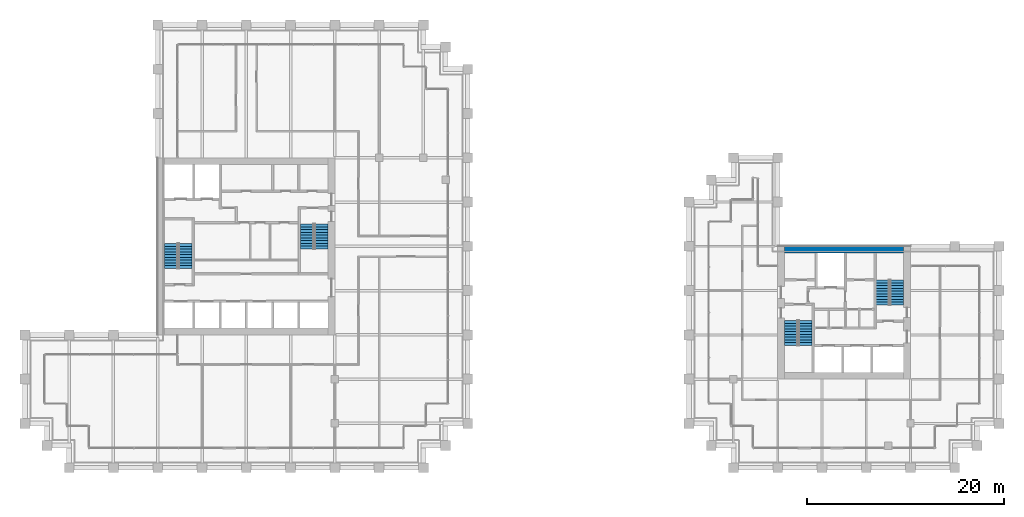
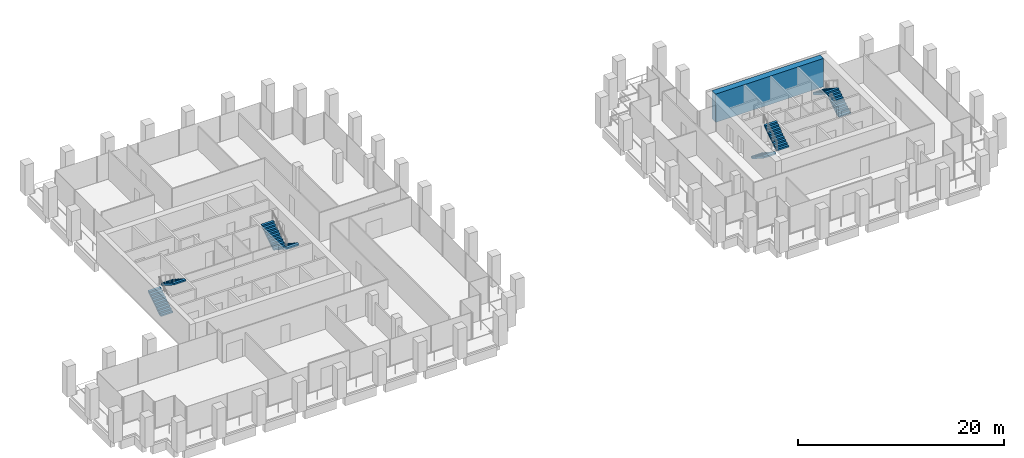
# One storey, part 44 of 46: 8 stair flights, 1 wall, 4 elements without a shape of their own.
"""IFC4 building model written with IfcOpenShell, lengths in metres."""

from ifc_helpers import new_model, si_unit, direction, frame, frame_2d, origin, place, context, subcontext, project, spatial, polyline, rectangle, outline, extrude, material, layer, layer_set, type_object, element, aggregate, save


model = new_model("IFC4")

# Units and contexts
model_context = context("Model", 3, precision=1e-05, world=origin(), true_north=direction((0.0, 1.0)))
body_context = subcontext(model_context, "Body", "Model", "MODEL_VIEW")
ifc_project = project(units=[si_unit("LENGTHUNIT", "METRE"), si_unit("AREAUNIT", "SQUARE_METRE"), si_unit("VOLUMEUNIT", "CUBIC_METRE"), si_unit("PLANEANGLEUNIT", "RADIAN"), si_unit("MASSUNIT", "GRAM", prefix="KILO")], contexts=[model_context])

# Site, building, storey
site_placement = place(None, origin())
site = spatial("IfcSite", under=ifc_project, at=site_placement, CompositionType="ELEMENT")
building_placement = place(site_placement, origin())
building = spatial("IfcBuilding", under=site, at=building_placement, Name="Altepetl Exchange Towers", CompositionType="ELEMENT")
storey_placement = place(building_placement, frame((0.0, 0.0, 102.800048828125)))
storey = spatial("IfcBuildingStorey", under=building, at=storey_placement, Name="L25", CompositionType="ELEMENT", Elevation=102.800048828125)

# Wall
ifc_material_1 = material(Name="Concrete C70/85", Category="concrete")
ifc_layer = layer(ifc_material_1, 0.699951171875)
ifc_layer_set = layer_set([ifc_layer], Name="Concrete C70/85")
wall_type = type_object("IfcWallType", Name="Core wall 700 reinforced concrete external", PredefinedType="SHEAR", material=ifc_layer_set)
wall_placement = place(storey_placement, frame((104.199951171875, 49.14990234375, 0.0)))
element("IfcWall", 1, at=wall_placement, inside=storey, type_object=wall_type, Name="wall:B:L25:K-coreN", PredefinedType="SHEAR", context=body_context, shape_type="SweptSolid", body=[
    extrude(rectangle(XDim=12.10009765625, YDim=0.699951171875, at=frame_2d((6.050048828125, 0.0))), origin(), (0.0, 0.0, 1.0), 3.349853515625),
])

# Stair, stair flights
ifc_material_2 = material(Name="Concrete C40/50", Category="concrete")
stair_type = type_object("IfcStairType", Name="Exit stair 1350 flights dogleg", PredefinedType="HALF_TURN_STAIR", material=ifc_material_2)
stair_1_placement = place(storey_placement, origin())
stair_1 = element("IfcStair", 2, at=stair_1_placement, inside=storey, type_object=stair_type, Name="Exit stair 1", PredefinedType="HALF_TURN_STAIR")
stair_flight_type = type_object("IfcStairFlightType", Name="Stair flight 1350 wide", PredefinedType="STRAIGHT", material=ifc_material_2)
stair_flight_1_placement = place(storey_placement, frame((41.875, 47.25, 0.0), z_axis=(0.0, 0.0, 1.0), x_axis=(0.0, 1.0, 0.0)))
stair_flight_1 = element("IfcStairFlight", 3, at=stair_flight_1_placement, type_object=stair_flight_type, Name="ST-A1d flight 1", NumberOfRisers=10, NumberOfTreads=9, PredefinedType="STRAIGHT", RiserHeight=0.18, TreadLength=0.28, context=body_context, shape_type="SweptSolid", body=[
    extrude(outline(polyline([(0.0, 0.0), (0.0, 0.179931640625), (0.280029296875, 0.179931640625), (0.280029296875, 0.360107421875), (0.56005859375, 0.360107421875), (0.56005859375, 0.5400390625), (0.840087890625, 0.5400390625), (0.840087890625, 0.719970703125), (1.1201171875, 0.719970703125), (1.1201171875, 0.89990234375), (1.39990234375, 0.89990234375), (1.39990234375, 1.080078125), (1.679931640625, 1.080078125), (1.679931640625, 1.260009765625), (1.9599609375, 1.260009765625), (1.9599609375, 1.43994140625), (2.239990234375, 1.43994140625), (2.239990234375, 1.6201171875), (2.52001953125, 1.6201171875), (2.52001953125, 1.800048828125), (2.52001953125, 1.44189453125), (0.277099609375, 0.0), (0.0, 0.0)])), frame((0.0, 0.675048828125, 0.0), z_axis=(0.0, -1.0, 0.0), x_axis=(1.0, 0.0, 0.0)), (0.0, 0.0, 1.0), 1.35009765625),
])
stair_flight_2_placement = place(storey_placement, frame((43.324951171875, 49.77001953125, 1.800048828125), z_axis=(0.0, 0.0, 1.0), x_axis=(0.0, -1.0, 0.0)))
stair_flight_2 = element("IfcStairFlight", 4, at=stair_flight_2_placement, type_object=stair_flight_type, Name="ST-A1d flight 2", NumberOfRisers=10, NumberOfTreads=9, PredefinedType="STRAIGHT", RiserHeight=0.18, TreadLength=0.28, context=body_context, shape_type="SweptSolid", body=[
    extrude(outline(polyline([(0.0, 0.0), (0.0, 0.179931640625), (0.280029296875, 0.179931640625), (0.280029296875, 0.360107421875), (0.56005859375, 0.360107421875), (0.56005859375, 0.5400390625), (0.840087890625, 0.5400390625), (0.840087890625, 0.719970703125), (1.1201171875, 0.719970703125), (1.1201171875, 0.89990234375), (1.39990234375, 0.89990234375), (1.39990234375, 1.080078125), (1.679931640625, 1.080078125), (1.679931640625, 1.260009765625), (1.9599609375, 1.260009765625), (1.9599609375, 1.43994140625), (2.239990234375, 1.43994140625), (2.239990234375, 1.6201171875), (2.52001953125, 1.6201171875), (2.52001953125, 1.800048828125), (2.52001953125, 1.44189453125), (0.277099609375, 0.0), (0.0, 0.0)])), frame((0.0, 0.675048828125, 0.0), z_axis=(0.0, -1.0, 0.0), x_axis=(1.0, 0.0, 0.0)), (0.0, 0.0, 1.0), 1.35009765625),
])
aggregate(stair_1, [stair_flight_1, stair_flight_2])

stair_2_placement = place(storey_placement, origin())
stair_2 = element("IfcStair", 5, at=stair_2_placement, inside=storey, type_object=stair_type, Name="Exit stair 2", PredefinedType="HALF_TURN_STAIR")
stair_flight_3_placement = place(storey_placement, frame((57.125, 51.75, 0.0), z_axis=(0.0, 0.0, 1.0), x_axis=(0.0, -1.0, 0.0)))
stair_flight_3 = element("IfcStairFlight", 6, at=stair_flight_3_placement, type_object=stair_flight_type, Name="ST-A2d flight 1", NumberOfRisers=10, NumberOfTreads=9, PredefinedType="STRAIGHT", RiserHeight=0.18, TreadLength=0.28, context=body_context, shape_type="SweptSolid", body=[
    extrude(outline(polyline([(0.0, 0.0), (0.0, 0.179931640625), (0.280029296875, 0.179931640625), (0.280029296875, 0.360107421875), (0.56005859375, 0.360107421875), (0.56005859375, 0.5400390625), (0.840087890625, 0.5400390625), (0.840087890625, 0.719970703125), (1.1201171875, 0.719970703125), (1.1201171875, 0.89990234375), (1.39990234375, 0.89990234375), (1.39990234375, 1.080078125), (1.679931640625, 1.080078125), (1.679931640625, 1.260009765625), (1.9599609375, 1.260009765625), (1.9599609375, 1.43994140625), (2.239990234375, 1.43994140625), (2.239990234375, 1.6201171875), (2.52001953125, 1.6201171875), (2.52001953125, 1.800048828125), (2.52001953125, 1.44189453125), (0.277099609375, 0.0), (0.0, 0.0)])), frame((0.0, 0.675048828125, 0.0), z_axis=(0.0, -1.0, 0.0), x_axis=(1.0, 0.0, 0.0)), (0.0, 0.0, 1.0), 1.35009765625),
])
stair_flight_4_placement = place(storey_placement, frame((55.675048828125, 49.22998046875, 1.800048828125), z_axis=(0.0, 0.0, 1.0), x_axis=(0.0, 1.0, 0.0)))
stair_flight_4 = element("IfcStairFlight", 7, at=stair_flight_4_placement, type_object=stair_flight_type, Name="ST-A2d flight 2", NumberOfRisers=10, NumberOfTreads=9, PredefinedType="STRAIGHT", RiserHeight=0.18, TreadLength=0.28, context=body_context, shape_type="SweptSolid", body=[
    extrude(outline(polyline([(0.0, 0.0), (0.0, 0.179931640625), (0.280029296875, 0.179931640625), (0.280029296875, 0.360107421875), (0.56005859375, 0.360107421875), (0.56005859375, 0.5400390625), (0.840087890625, 0.5400390625), (0.840087890625, 0.719970703125), (1.1201171875, 0.719970703125), (1.1201171875, 0.89990234375), (1.39990234375, 0.89990234375), (1.39990234375, 1.080078125), (1.679931640625, 1.080078125), (1.679931640625, 1.260009765625), (1.9599609375, 1.260009765625), (1.9599609375, 1.43994140625), (2.239990234375, 1.43994140625), (2.239990234375, 1.6201171875), (2.52001953125, 1.6201171875), (2.52001953125, 1.800048828125), (2.52001953125, 1.44189453125), (0.277099609375, 0.0), (0.0, 0.0)])), frame((0.0, 0.675048828125, 0.0), z_axis=(0.0, -1.0, 0.0), x_axis=(1.0, 0.0, 0.0)), (0.0, 0.0, 1.0), 1.35009765625),
])
aggregate(stair_2, [stair_flight_3, stair_flight_4])

stair_3_placement = place(storey_placement, origin())
stair_3 = element("IfcStair", 8, at=stair_3_placement, inside=storey, type_object=stair_type, Name="Exit stair 1", PredefinedType="HALF_TURN_STAIR")
stair_flight_5_placement = place(storey_placement, frame((104.875, 41.949951171875, 0.0), z_axis=(0.0, 0.0, 1.0), x_axis=(0.0, -1.0, 0.0)))
stair_flight_5 = element("IfcStairFlight", 9, at=stair_flight_5_placement, type_object=stair_flight_type, Name="ST-B1d flight 1", NumberOfRisers=10, NumberOfTreads=9, PredefinedType="STRAIGHT", RiserHeight=0.18, TreadLength=0.28, context=body_context, shape_type="SweptSolid", body=[
    extrude(outline(polyline([(0.0, 0.0), (0.0, 0.179931640625), (0.280029296875, 0.179931640625), (0.280029296875, 0.360107421875), (0.56005859375, 0.360107421875), (0.56005859375, 0.5400390625), (0.840087890625, 0.5400390625), (0.840087890625, 0.719970703125), (1.1201171875, 0.719970703125), (1.1201171875, 0.89990234375), (1.39990234375, 0.89990234375), (1.39990234375, 1.080078125), (1.679931640625, 1.080078125), (1.679931640625, 1.260009765625), (1.9599609375, 1.260009765625), (1.9599609375, 1.43994140625), (2.239990234375, 1.43994140625), (2.239990234375, 1.6201171875), (2.52001953125, 1.6201171875), (2.52001953125, 1.800048828125), (2.52001953125, 1.44189453125), (0.277099609375, 0.0), (0.0, 0.0)])), frame((0.0, 0.675048828125, 0.0), z_axis=(0.0, -1.0, 0.0), x_axis=(1.0, 0.0, 0.0)), (0.0, 0.0, 1.0), 1.35009765625),
])
stair_flight_6_placement = place(storey_placement, frame((106.324951171875, 39.429931640625, 1.800048828125), z_axis=(0.0, 0.0, 1.0), x_axis=(0.0, 1.0, 0.0)))
stair_flight_6 = element("IfcStairFlight", 10, at=stair_flight_6_placement, type_object=stair_flight_type, Name="ST-B1d flight 2", NumberOfRisers=10, NumberOfTreads=9, PredefinedType="STRAIGHT", RiserHeight=0.18, TreadLength=0.28, context=body_context, shape_type="SweptSolid", body=[
    extrude(outline(polyline([(0.0, 0.0), (0.0, 0.179931640625), (0.280029296875, 0.179931640625), (0.280029296875, 0.360107421875), (0.56005859375, 0.360107421875), (0.56005859375, 0.5400390625), (0.840087890625, 0.5400390625), (0.840087890625, 0.719970703125), (1.1201171875, 0.719970703125), (1.1201171875, 0.89990234375), (1.39990234375, 0.89990234375), (1.39990234375, 1.080078125), (1.679931640625, 1.080078125), (1.679931640625, 1.260009765625), (1.9599609375, 1.260009765625), (1.9599609375, 1.43994140625), (2.239990234375, 1.43994140625), (2.239990234375, 1.6201171875), (2.52001953125, 1.6201171875), (2.52001953125, 1.800048828125), (2.52001953125, 1.44189453125), (0.277099609375, 0.0), (0.0, 0.0)])), frame((0.0, 0.675048828125, 0.0), z_axis=(0.0, -1.0, 0.0), x_axis=(1.0, 0.0, 0.0)), (0.0, 0.0, 1.0), 1.35009765625),
])
aggregate(stair_3, [stair_flight_5, stair_flight_6])

stair_4_placement = place(storey_placement, origin())
stair_4 = element("IfcStair", 11, at=stair_4_placement, inside=storey, type_object=stair_type, Name="Exit stair 2", PredefinedType="HALF_TURN_STAIR")
stair_flight_7_placement = place(storey_placement, frame((115.625, 43.550048828125, 0.0), z_axis=(0.0, 0.0, 1.0), x_axis=(0.0, 1.0, 0.0)))
stair_flight_7 = element("IfcStairFlight", 12, at=stair_flight_7_placement, type_object=stair_flight_type, Name="ST-B2d flight 1", NumberOfRisers=10, NumberOfTreads=9, PredefinedType="STRAIGHT", RiserHeight=0.18, TreadLength=0.28, context=body_context, shape_type="SweptSolid", body=[
    extrude(outline(polyline([(0.0, 0.0), (0.0, 0.179931640625), (0.280029296875, 0.179931640625), (0.280029296875, 0.360107421875), (0.56005859375, 0.360107421875), (0.56005859375, 0.5400390625), (0.840087890625, 0.5400390625), (0.840087890625, 0.719970703125), (1.1201171875, 0.719970703125), (1.1201171875, 0.89990234375), (1.39990234375, 0.89990234375), (1.39990234375, 1.080078125), (1.679931640625, 1.080078125), (1.679931640625, 1.260009765625), (1.9599609375, 1.260009765625), (1.9599609375, 1.43994140625), (2.239990234375, 1.43994140625), (2.239990234375, 1.6201171875), (2.52001953125, 1.6201171875), (2.52001953125, 1.800048828125), (2.52001953125, 1.44189453125), (0.277099609375, 0.0), (0.0, 0.0)])), frame((0.0, 0.675048828125, 0.0), z_axis=(0.0, -1.0, 0.0), x_axis=(1.0, 0.0, 0.0)), (0.0, 0.0, 1.0), 1.35009765625),
])
stair_flight_8_placement = place(storey_placement, frame((114.175048828125, 46.070068359375, 1.800048828125), z_axis=(0.0, 0.0, 1.0), x_axis=(0.0, -1.0, 0.0)))
stair_flight_8 = element("IfcStairFlight", 13, at=stair_flight_8_placement, type_object=stair_flight_type, Name="ST-B2d flight 2", NumberOfRisers=10, NumberOfTreads=9, PredefinedType="STRAIGHT", RiserHeight=0.18, TreadLength=0.28, context=body_context, shape_type="SweptSolid", body=[
    extrude(outline(polyline([(0.0, 0.0), (0.0, 0.179931640625), (0.280029296875, 0.179931640625), (0.280029296875, 0.360107421875), (0.56005859375, 0.360107421875), (0.56005859375, 0.5400390625), (0.840087890625, 0.5400390625), (0.840087890625, 0.719970703125), (1.1201171875, 0.719970703125), (1.1201171875, 0.89990234375), (1.39990234375, 0.89990234375), (1.39990234375, 1.080078125), (1.679931640625, 1.080078125), (1.679931640625, 1.260009765625), (1.9599609375, 1.260009765625), (1.9599609375, 1.43994140625), (2.239990234375, 1.43994140625), (2.239990234375, 1.6201171875), (2.52001953125, 1.6201171875), (2.52001953125, 1.800048828125), (2.52001953125, 1.44189453125), (0.277099609375, 0.0), (0.0, 0.0)])), frame((0.0, 0.675048828125, 0.0), z_axis=(0.0, -1.0, 0.0), x_axis=(1.0, 0.0, 0.0)), (0.0, 0.0, 1.0), 1.35009765625),
])
aggregate(stair_4, [stair_flight_7, stair_flight_8])

save(model, "model.ifc")
